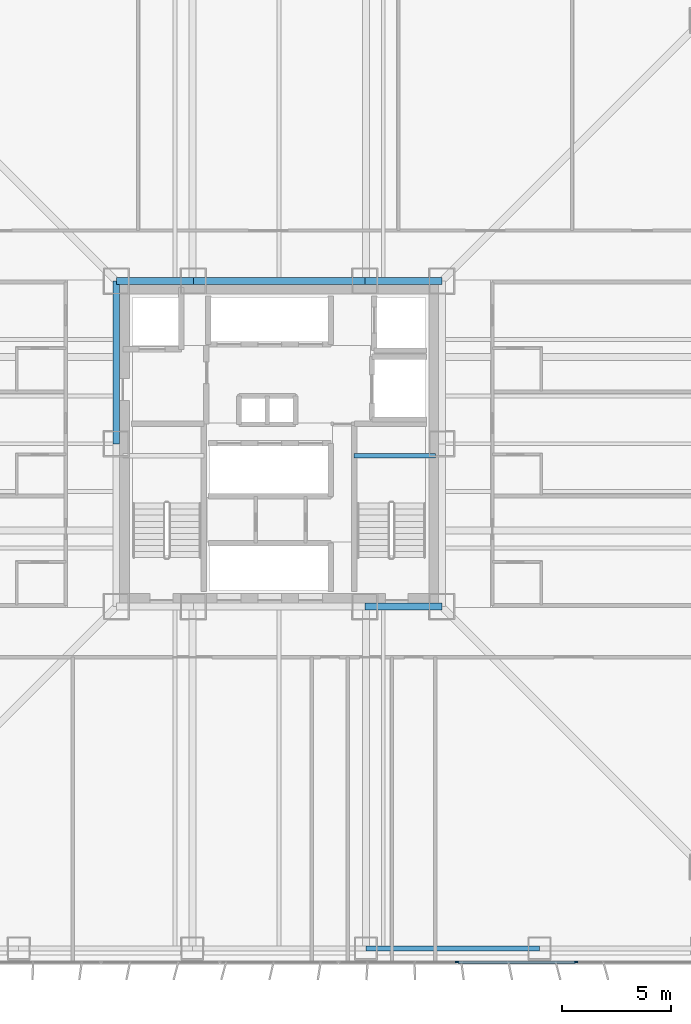
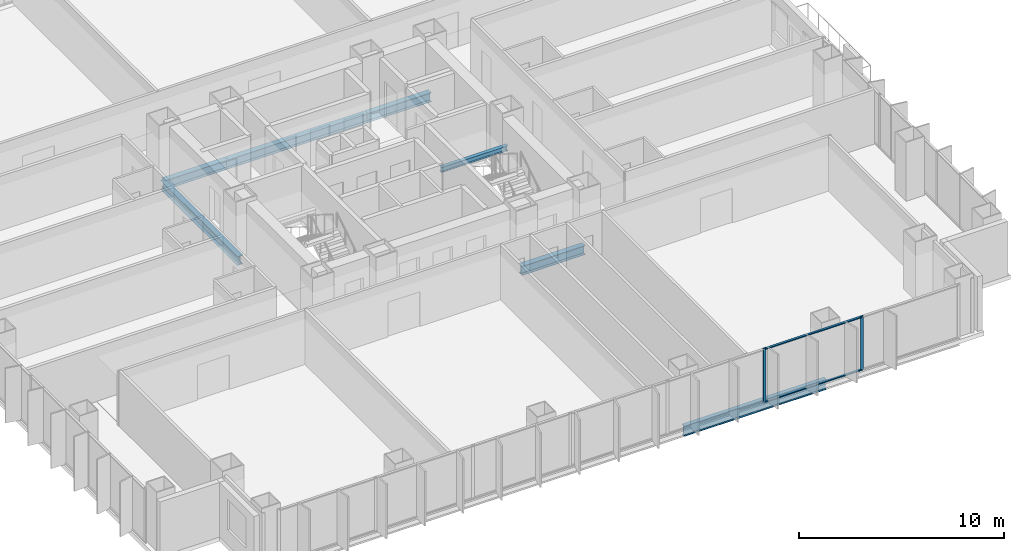
# One storey, part 5 of 16: 7 beams, 4 members, 1 element without a shape of its own.
"""IFC4 building model written with IfcOpenShell, lengths in metres."""

from ifc_helpers import new_model, si_unit, direction, frame, origin, origin_2d, place, context, subcontext, project, spatial, rectangle, i_section, extrude, material, layer, layer_set, material_profile, profile_set, type_object, element, aggregate, save


model = new_model("IFC4")

# Units and contexts
model_context = context("Model", 3, precision=1e-05, world=origin(), true_north=direction((0.0, 1.0)))
body_context = subcontext(model_context, "Body", "Model", "MODEL_VIEW")
ifc_project = project(units=[si_unit("LENGTHUNIT", "METRE"), si_unit("AREAUNIT", "SQUARE_METRE"), si_unit("VOLUMEUNIT", "CUBIC_METRE"), si_unit("PLANEANGLEUNIT", "RADIAN"), si_unit("MASSUNIT", "GRAM", prefix="KILO")], contexts=[model_context])

# Site, building, storey
site_placement = place(None, origin())
site = spatial("IfcSite", under=ifc_project, at=site_placement, CompositionType="ELEMENT")
building_placement = place(site_placement, origin())
building = spatial("IfcBuilding", under=site, at=building_placement, Name="Trevonay Congress Spire", CompositionType="ELEMENT")
storey_placement = place(building_placement, frame((0.0, 0.0, 48.0)))
storey = spatial("IfcBuildingStorey", under=building, at=storey_placement, Name="L11", CompositionType="ELEMENT", Elevation=48.0)

# Beams
ifc_material_1 = material(Name="Steel ASTM A572 Grade 50", Category="steel")
ifc_material_profile_1 = material_profile(ifc_material_1, i_section(OverallWidth=0.31201171875, OverallDepth=0.54296875, WebThickness=0.0126953125, FlangeThickness=0.020263671875, FilletRadius=0.014892578125, at=origin_2d()), Name="W530x150")
ifc_profile_set_1 = profile_set([ifc_material_profile_1], Name="Steel ASTM A572 Grade 50")
beam_type_1 = type_object("IfcBeamType", Name="BM-GIRD-W530X150", PredefinedType="BEAM", material=ifc_profile_set_1)
for number, where, z_axis, x_axis, name in (
    (1, (3.949951171875, -7.5, -0.521484375), (1.0, 0.0, 0.0), (0.0, 1.0, 0.0), "L11 structural beam BM-L11-CR-S3"),
    (2, (-7.5, 7.5, -0.521484375), (1.0, 0.0, 0.0), (0.0, 1.0, 0.0), "L11 structural beam BM-L11-CR-N1"),
):
    element("IfcBeam", number, at=place(storey_placement, frame(where, z_axis=z_axis, x_axis=x_axis)), inside=storey, type_object=beam_type_1, Name=name, PredefinedType="BEAM", context=body_context, shape_type="SweptSolid", body=[
        extrude(i_section(OverallWidth=0.31201171875, OverallDepth=0.54296875, WebThickness=0.0126953125, FlangeThickness=0.020263671875, FilletRadius=0.014892578125, at=origin_2d()), origin(), (0.0, 0.0, 1.0), 3.550048828125),
    ])
beam_1_placement = place(storey_placement, frame((-3.949951171875, 7.5, -0.521484375), z_axis=(1.0, 0.0, 0.0), x_axis=(0.0, 1.0, 0.0)))
element("IfcBeam", 3, at=beam_1_placement, inside=storey, type_object=beam_type_1, Name="L11 structural beam BM-L11-CR-N2", PredefinedType="BEAM", context=body_context, shape_type="SweptSolid", body=[
    extrude(i_section(OverallWidth=0.31201171875, OverallDepth=0.54296875, WebThickness=0.0126953125, FlangeThickness=0.020263671875, FilletRadius=0.014892578125, at=origin_2d()), origin(), (0.0, 0.0, 1.0), 7.89990234375),
])
beam_2_placement = place(storey_placement, frame((3.949951171875, 7.5, -0.521484375), z_axis=(1.0, 0.0, 0.0), x_axis=(0.0, 1.0, 0.0)))
element("IfcBeam", 4, at=beam_2_placement, inside=storey, type_object=beam_type_1, Name="L11 structural beam BM-L11-CR-N3", PredefinedType="BEAM", context=body_context, shape_type="SweptSolid", body=[
    extrude(i_section(OverallWidth=0.31201171875, OverallDepth=0.54296875, WebThickness=0.0126953125, FlangeThickness=0.020263671875, FilletRadius=0.014892578125, at=origin_2d()), origin(), (0.0, 0.0, 1.0), 3.550048828125),
])
beam_3_placement = place(storey_placement, frame((-7.5, 0.0, -0.521484375), z_axis=(0.0, 1.0, 0.0), x_axis=(-1.0, 0.0, 0.0)))
element("IfcBeam", 5, at=beam_3_placement, inside=storey, type_object=beam_type_1, Name="L11 structural beam BM-L11-CR-W2", PredefinedType="BEAM", context=body_context, shape_type="SweptSolid", body=[
    extrude(i_section(OverallWidth=0.31201171875, OverallDepth=0.54296875, WebThickness=0.0126953125, FlangeThickness=0.020263671875, FilletRadius=0.014892578125, at=origin_2d()), origin(), (0.0, 0.0, 1.0), 7.5),
])
ifc_material_profile_2 = material_profile(ifc_material_1, i_section(OverallWidth=0.22998046875, OverallDepth=0.616943359375, WebThickness=0.01318359375, FlangeThickness=0.022216796875, FilletRadius=0.01611328125, at=origin_2d()), Name="W610x140")
ifc_profile_set_2 = profile_set([ifc_material_profile_2], Name="Steel ASTM A572 Grade 50")
beam_type_2 = type_object("IfcBeamType", Name="BM-RING-W610X140", PredefinedType="BEAM", material=ifc_profile_set_2)
beam_4_placement = place(storey_placement, frame((4.0, -23.25, -0.55859375), z_axis=(1.0, 0.0, 0.0), x_axis=(0.0, 1.0, 0.0)))
element("IfcBeam", 6, at=beam_4_placement, inside=storey, type_object=beam_type_2, Name="L11 structural beam BM-L11-PS4", PredefinedType="BEAM", context=body_context, shape_type="SweptSolid", body=[
    extrude(i_section(OverallWidth=0.22998046875, OverallDepth=0.616943359375, WebThickness=0.01318359375, FlangeThickness=0.022216796875, FilletRadius=0.01611328125, at=origin_2d()), origin(), (0.0, 0.0, 1.0), 8.0),
])

# Curtain wall, members
ifc_material_2 = material(Name="Pale Anodised Aluminium EN AW-6063-T6", Category="aluminium")
ifc_layer = layer(ifc_material_2, 0.179931640625, Name="Pale Anodised Aluminium EN AW-6063-T6")
ifc_layer_set = layer_set([ifc_layer], Name="Pale Anodised Aluminium EN AW-6063-T6")
curtain_wall_type = type_object("IfcCurtainWallType", Name="CW-SYS02-HOTEL-PALE-METAL", PredefinedType="NOTDEFINED", material=ifc_layer_set)
curtain_wall_placement = place(storey_placement, origin())
curtain_wall = element("IfcCurtainWall", 7, at=curtain_wall_placement, inside=storey, type_object=curtain_wall_type, Name="L11 S unitised curtain wall", PredefinedType="NOTDEFINED")
ifc_material_profile_3 = material_profile(ifc_material_2, rectangle(XDim=0.06005859375, YDim=0.159912109375, at=origin_2d()), Name="CW-MULLION-160-ALUMINIUM")
ifc_profile_set_3 = profile_set([ifc_material_profile_3], Name="Pale Anodised Aluminium EN AW-6063-T6")
member_type_1 = type_object("IfcMemberType", Name="CW-MULLION-160-ALUMINIUM", PredefinedType="MULLION", material=ifc_profile_set_3)
member_1_placement = place(storey_placement, frame((8.20703125, -23.8798828125, 0.0), z_axis=(0.0, 0.0, 1.0), x_axis=(0.0, 1.0, 0.0)))
member_1 = element("IfcMember", 8, at=member_1_placement, type_object=member_type_1, Name="CW02 mullion 6", PredefinedType="MULLION", context=body_context, shape_type="SweptSolid", body=[
    extrude(rectangle(XDim=0.06005859375, YDim=0.159912109375, at=origin_2d()), origin(), (0.0, 0.0, 1.0), 3.25),
])
member_2_placement = place(storey_placement, frame((13.678466796875, -23.8798828125, 0.0), z_axis=(0.0, 0.0, 1.0), x_axis=(0.0, 1.0, 0.0)))
member_2 = element("IfcMember", 9, at=member_2_placement, type_object=member_type_1, Name="CW02 mullion 7", PredefinedType="MULLION", context=body_context, shape_type="SweptSolid", body=[
    extrude(rectangle(XDim=0.06005859375, YDim=0.159912109375, at=origin_2d()), origin(), (0.0, 0.0, 1.0), 3.25),
])
ifc_material_profile_4 = material_profile(ifc_material_2, rectangle(XDim=0.1201171875, YDim=0.06005859375, at=origin_2d()), Name="CW-TRANSOM-120-ALUMINIUM")
ifc_profile_set_4 = profile_set([ifc_material_profile_4], Name="Pale Anodised Aluminium EN AW-6063-T6")
member_type_2 = type_object("IfcMemberType", Name="CW-TRANSOM-120-ALUMINIUM", PredefinedType="USERDEFINED", material=ifc_profile_set_4)
member_3_placement = place(storey_placement, frame((8.237060546875, -23.8798828125, 0.06005859375), z_axis=(1.0, 0.0, 0.0), x_axis=(0.0, 1.0, 0.0)))
member_3 = element("IfcMember", 10, at=member_3_placement, type_object=member_type_2, Name="CW02 transom 6.1", ObjectType="TRANSOM", PredefinedType="USERDEFINED", context=body_context, shape_type="SweptSolid", body=[
    extrude(rectangle(XDim=0.1201171875, YDim=0.06005859375, at=origin_2d()), origin(), (0.0, 0.0, 1.0), 5.41162109375),
])
member_4_placement = place(storey_placement, frame((8.237060546875, -23.8798828125, 3.18994140625), z_axis=(1.0, 0.0, 0.0), x_axis=(0.0, 1.0, 0.0)))
member_4 = element("IfcMember", 11, at=member_4_placement, type_object=member_type_2, Name="CW02 transom 6.2", ObjectType="TRANSOM", PredefinedType="USERDEFINED", context=body_context, shape_type="SweptSolid", body=[
    extrude(rectangle(XDim=0.1201171875, YDim=0.06005859375, at=origin_2d()), origin(), (0.0, 0.0, 1.0), 5.41162109375),
])
aggregate(curtain_wall, [member_1, member_2, member_3, member_4])

# Beam
ifc_material_profile_5 = material_profile(ifc_material_1, i_section(OverallWidth=0.2041015625, OverallDepth=0.305908203125, WebThickness=0.008544921875, FlangeThickness=0.0146484375, FilletRadius=0.010986328125, at=origin_2d()), Name="W310x67")
ifc_profile_set_5 = profile_set([ifc_material_profile_5], Name="Steel ASTM A572 Grade 50")
beam_type_3 = type_object("IfcBeamType", Name="LN-CORE-W310X67", PredefinedType="LINTEL", material=ifc_profile_set_5)
beam_5_placement = place(storey_placement, frame((3.449951171875, -0.550048828125, 1.39697265625), z_axis=(1.0, 0.0, 0.0), x_axis=(0.0, 1.0, 0.0)))
element("IfcBeam", 12, at=beam_5_placement, inside=storey, type_object=beam_type_3, Name="L11 structural beam BM-L11-HL-ST2", PredefinedType="LINTEL", context=body_context, shape_type="SweptSolid", body=[
    extrude(i_section(OverallWidth=0.2041015625, OverallDepth=0.305908203125, WebThickness=0.008544921875, FlangeThickness=0.0146484375, FilletRadius=0.010986328125, at=origin_2d()), origin(), (0.0, 0.0, 1.0), 3.75),
])

save(model, "model.ifc")
